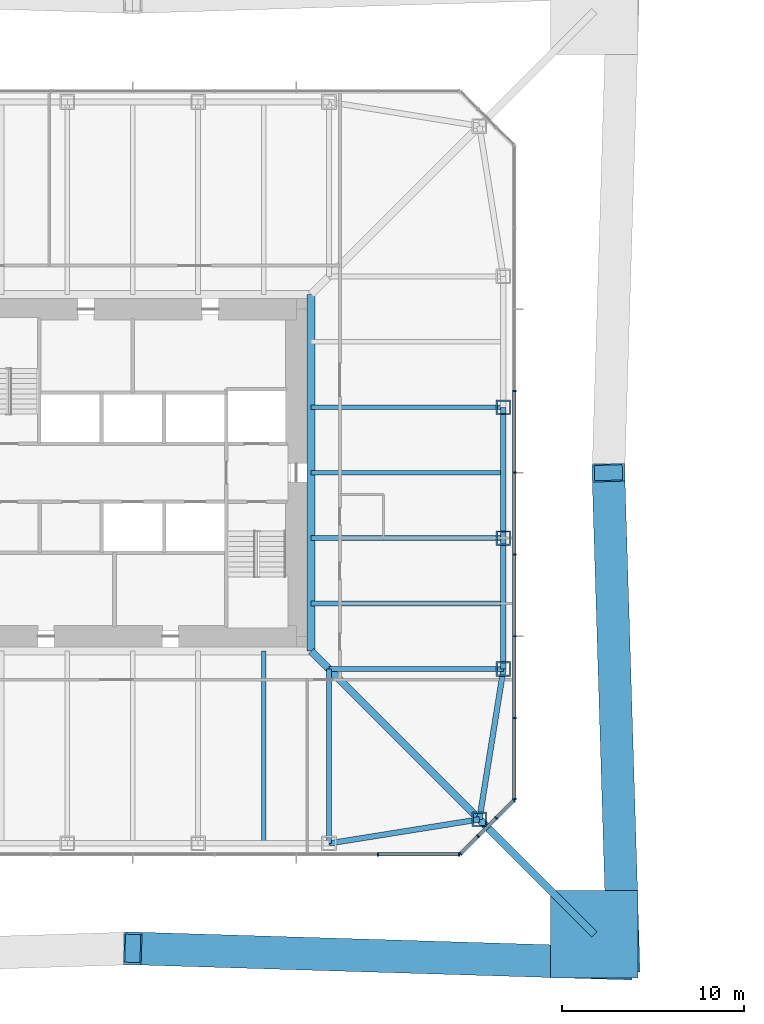
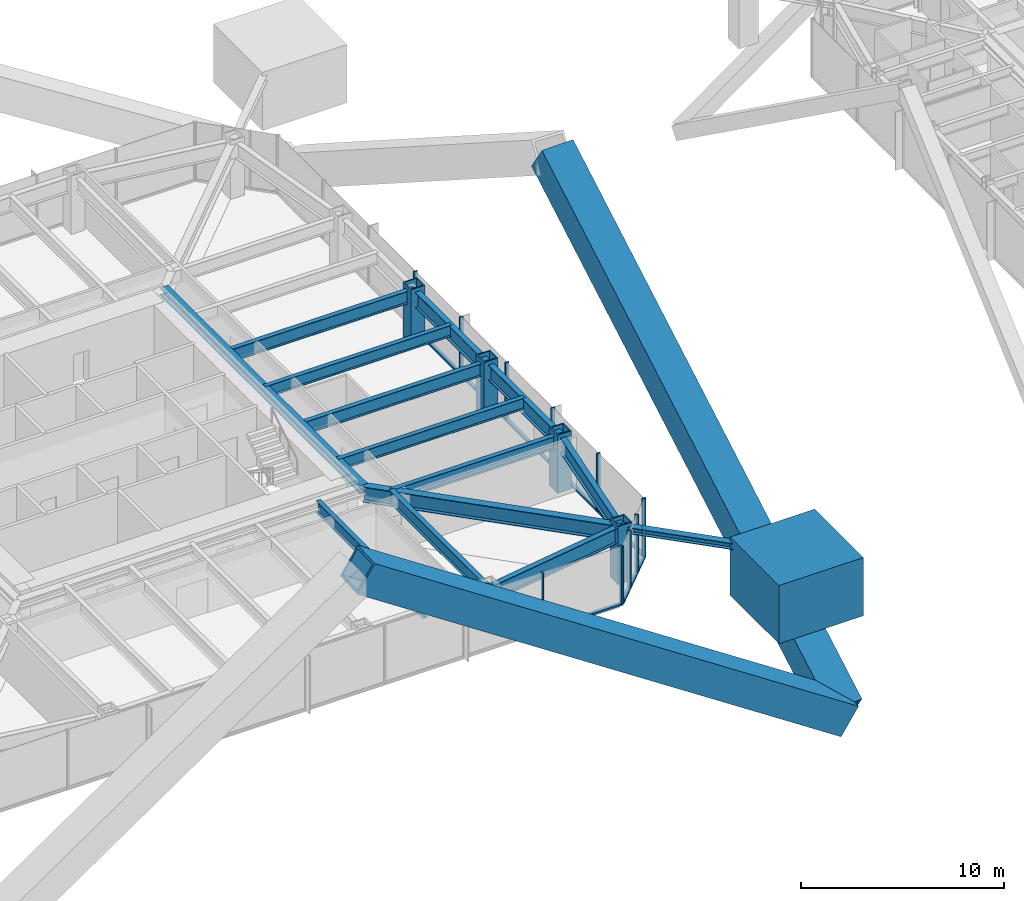
# One storey, part 3 of 21: 29 members, 13 beams, 3 elements without a shape of their own.
"""IFC4 building model written with IfcOpenShell, lengths in metres."""

from ifc_helpers import new_model, si_unit, direction, frame, origin, origin_2d, place, context, subcontext, project, spatial, rectangle, hollow_rectangle, i_section, extrude, material, material_profile, profile_set, type_object, element, aggregate, save


model = new_model("IFC4")

# Units and contexts
model_context = context("Model", 3, precision=1e-05, world=origin(), true_north=direction((0.0, 1.0)))
body_context = subcontext(model_context, "Body", "Model", "MODEL_VIEW")
ifc_project = project(units=[si_unit("LENGTHUNIT", "METRE"), si_unit("AREAUNIT", "SQUARE_METRE"), si_unit("VOLUMEUNIT", "CUBIC_METRE"), si_unit("PLANEANGLEUNIT", "RADIAN"), si_unit("MASSUNIT", "GRAM", prefix="KILO")], contexts=[model_context])

# Site, building, storey
site_placement = place(None, origin())
site = spatial("IfcSite", under=ifc_project, at=site_placement, CompositionType="ELEMENT")
building_placement = place(site_placement, origin())
building = spatial("IfcBuilding", under=site, at=building_placement, Name="Iwan Alto Co-Living Towers", CompositionType="ELEMENT")
storey_placement = place(building_placement, frame((0.0, 0.0, 80.5)))
storey = spatial("IfcBuildingStorey", under=building, at=storey_placement, Name="L21", CompositionType="ELEMENT", Elevation=80.5)

# Curtain wall, members
ifc_material_1 = material(Name="Bronze aluminium unitised frame", Category="aluminium")
curtain_wall_type_1 = type_object("IfcCurtainWallType", Name="CURTAIN WALL CW-A", PredefinedType="NOTDEFINED", material=ifc_material_1)
curtain_wall_1_placement = place(storey_placement, origin())
curtain_wall_1 = element("IfcCurtainWall", 1, at=curtain_wall_1_placement, inside=storey, type_object=curtain_wall_type_1, Name="T1 curtain wall S L21", PredefinedType="NOTDEFINED")
ifc_material_2 = material(Name="Aluminium 6063-T6 bronze anodised", Category="aluminium")
ifc_material_profile_1 = material_profile(ifc_material_2, rectangle(XDim=0.199951171875, YDim=0.080078125, at=origin_2d()), Name="AL 80X200")
ifc_profile_set_1 = profile_set([ifc_material_profile_1], Name="Aluminium 6063-T6 bronze anodised")
member_type_1 = type_object("IfcMemberType", Name="CW-A MULLION 80X200", PredefinedType="MULLION", material=ifc_profile_set_1)
member_1_placement = place(storey_placement, frame((13.5, -21.0, 0.0), z_axis=(0.0, 0.0, 1.0), x_axis=(0.0, 1.0, 0.0)))
member_1 = element("IfcMember", 2, at=member_1_placement, type_object=member_type_1, Name="CW-A mullion 8", PredefinedType="MULLION", context=body_context, shape_type="SweptSolid", body=[
    extrude(rectangle(XDim=0.199951171875, YDim=0.080078125, at=origin_2d()), origin(), (0.0, 0.0, 1.0), 3.5),
])
member_2_placement = place(storey_placement, frame((17.9599609375, -21.0, 0.0), z_axis=(0.0, 0.0, 1.0), x_axis=(0.0, 1.0, 0.0)))
member_2 = element("IfcMember", 3, at=member_2_placement, type_object=member_type_1, Name="CW-A mullion 9", PredefinedType="MULLION", context=body_context, shape_type="SweptSolid", body=[
    extrude(rectangle(XDim=0.199951171875, YDim=0.080078125, at=origin_2d()), origin(), (0.0, 0.0, 1.0), 3.5),
])

curtain_wall_2_placement = place(storey_placement, origin())
curtain_wall_2 = element("IfcCurtainWall", 4, at=curtain_wall_2_placement, inside=storey, type_object=curtain_wall_type_1, Name="T1 curtain wall E L21", PredefinedType="NOTDEFINED")
member_3_placement = place(storey_placement, frame((21.0, -17.9599609375, 0.0), z_axis=(0.0, 0.0, 1.0), x_axis=(-1.0, 0.0, 0.0)))
member_3 = element("IfcMember", 5, at=member_3_placement, type_object=member_type_1, Name="CW-A mullion 1", PredefinedType="MULLION", context=body_context, shape_type="SweptSolid", body=[
    extrude(rectangle(XDim=0.199951171875, YDim=0.080078125, at=origin_2d()), origin(), (0.0, 0.0, 1.0), 3.5),
])
member_4_placement = place(storey_placement, frame((21.0, -13.5, 0.0), z_axis=(0.0, 0.0, 1.0), x_axis=(-1.0, 0.0, 0.0)))
member_4 = element("IfcMember", 6, at=member_4_placement, type_object=member_type_1, Name="CW-A mullion 2", PredefinedType="MULLION", context=body_context, shape_type="SweptSolid", body=[
    extrude(rectangle(XDim=0.199951171875, YDim=0.080078125, at=origin_2d()), origin(), (0.0, 0.0, 1.0), 3.5),
])
member_5_placement = place(storey_placement, frame((21.0, -9.0, 0.0), z_axis=(0.0, 0.0, 1.0), x_axis=(-1.0, 0.0, 0.0)))
member_5 = element("IfcMember", 7, at=member_5_placement, type_object=member_type_1, Name="CW-A mullion 3", PredefinedType="MULLION", context=body_context, shape_type="SweptSolid", body=[
    extrude(rectangle(XDim=0.199951171875, YDim=0.080078125, at=origin_2d()), origin(), (0.0, 0.0, 1.0), 3.5),
])
member_6_placement = place(storey_placement, frame((21.0, -4.5, 0.0), z_axis=(0.0, 0.0, 1.0), x_axis=(-1.0, 0.0, 0.0)))
member_6 = element("IfcMember", 8, at=member_6_placement, type_object=member_type_1, Name="CW-A mullion 4", PredefinedType="MULLION", context=body_context, shape_type="SweptSolid", body=[
    extrude(rectangle(XDim=0.199951171875, YDim=0.080078125, at=origin_2d()), origin(), (0.0, 0.0, 1.0), 3.5),
])
member_7_placement = place(storey_placement, frame((21.0, 0.0, 0.0), z_axis=(0.0, 0.0, 1.0), x_axis=(-1.0, 0.0, 0.0)))
member_7 = element("IfcMember", 9, at=member_7_placement, type_object=member_type_1, Name="CW-A mullion 5", PredefinedType="MULLION", context=body_context, shape_type="SweptSolid", body=[
    extrude(rectangle(XDim=0.199951171875, YDim=0.080078125, at=origin_2d()), origin(), (0.0, 0.0, 1.0), 3.5),
])
member_8_placement = place(storey_placement, frame((21.0, 4.5, 0.0), z_axis=(0.0, 0.0, 1.0), x_axis=(-1.0, 0.0, 0.0)))
member_8 = element("IfcMember", 10, at=member_8_placement, type_object=member_type_1, Name="CW-A mullion 6", PredefinedType="MULLION", context=body_context, shape_type="SweptSolid", body=[
    extrude(rectangle(XDim=0.199951171875, YDim=0.080078125, at=origin_2d()), origin(), (0.0, 0.0, 1.0), 3.5),
])

# Member
ifc_material_3 = material(Name="Aluminium 6063-T6 bronze anodised", Category="aluminium")
ifc_material_profile_2 = material_profile(ifc_material_3, rectangle(XDim=0.199951171875, YDim=0.10009765625, at=origin_2d()), Name="AL 200X100")
ifc_profile_set_2 = profile_set([ifc_material_profile_2], Name="Aluminium 6063-T6 bronze anodised")
member_type_2 = type_object("IfcMemberType", Name="CW-A TRANSOM 200X100", PredefinedType="USERDEFINED", material=ifc_profile_set_2)
member_9_placement = place(storey_placement, frame((13.5400390625, -21.0, 0.050048828125), z_axis=(1.0, 0.0, 0.0), x_axis=(0.0, 1.0, 0.0)))
member_9 = element("IfcMember", 11, at=member_9_placement, type_object=member_type_2, Name="CW-A transom 8.1", ObjectType="TRANSOM", PredefinedType="USERDEFINED", context=body_context, shape_type="SweptSolid", body=[
    extrude(rectangle(XDim=0.199951171875, YDim=0.10009765625, at=origin_2d()), origin(), (0.0, 0.0, 1.0), 4.3798828125),
])

aggregate(curtain_wall_1, [member_1, member_2, member_9])

member_10_placement = place(storey_placement, frame((21.0, -17.919921875, 0.050048828125), z_axis=(0.0, 1.0, 0.0), x_axis=(-1.0, 0.0, 0.0)))
member_10 = element("IfcMember", 12, at=member_10_placement, type_object=member_type_2, Name="CW-A transom 1.1", ObjectType="TRANSOM", PredefinedType="USERDEFINED", context=body_context, shape_type="SweptSolid", body=[
    extrude(rectangle(XDim=0.199951171875, YDim=0.10009765625, at=origin_2d()), origin(), (0.0, 0.0, 1.0), 4.3798828125),
])

member_11_placement = place(storey_placement, frame((21.0, -13.4599609375, 0.050048828125), z_axis=(0.0, 1.0, 0.0), x_axis=(-1.0, 0.0, 0.0)))
member_11 = element("IfcMember", 13, at=member_11_placement, type_object=member_type_2, Name="CW-A transom 2.1", ObjectType="TRANSOM", PredefinedType="USERDEFINED", context=body_context, shape_type="SweptSolid", body=[
    extrude(rectangle(XDim=0.199951171875, YDim=0.10009765625, at=origin_2d()), origin(), (0.0, 0.0, 1.0), 4.419921875),
])

member_12_placement = place(storey_placement, frame((21.0, -8.9599609375, 0.050048828125), z_axis=(0.0, 1.0, 0.0), x_axis=(-1.0, 0.0, 0.0)))
member_12 = element("IfcMember", 14, at=member_12_placement, type_object=member_type_2, Name="CW-A transom 3.1", ObjectType="TRANSOM", PredefinedType="USERDEFINED", context=body_context, shape_type="SweptSolid", body=[
    extrude(rectangle(XDim=0.199951171875, YDim=0.10009765625, at=origin_2d()), origin(), (0.0, 0.0, 1.0), 4.419921875),
])

member_13_placement = place(storey_placement, frame((21.0, -4.4599609375, 0.050048828125), z_axis=(0.0, 1.0, 0.0), x_axis=(-1.0, 0.0, 0.0)))
member_13 = element("IfcMember", 15, at=member_13_placement, type_object=member_type_2, Name="CW-A transom 4.1", ObjectType="TRANSOM", PredefinedType="USERDEFINED", context=body_context, shape_type="SweptSolid", body=[
    extrude(rectangle(XDim=0.199951171875, YDim=0.10009765625, at=origin_2d()), origin(), (0.0, 0.0, 1.0), 4.419921875),
])

member_14_placement = place(storey_placement, frame((21.0, 0.0400390625, 0.050048828125), z_axis=(0.0, 1.0, 0.0), x_axis=(-1.0, 0.0, 0.0)))
member_14 = element("IfcMember", 16, at=member_14_placement, type_object=member_type_2, Name="CW-A transom 5.1", ObjectType="TRANSOM", PredefinedType="USERDEFINED", context=body_context, shape_type="SweptSolid", body=[
    extrude(rectangle(XDim=0.199951171875, YDim=0.10009765625, at=origin_2d()), origin(), (0.0, 0.0, 1.0), 4.419921875),
])

aggregate(curtain_wall_2, [member_3, member_4, member_5, member_6, member_7, member_8, member_10, member_11, member_12, member_13, member_14])

# Curtain wall, members
ifc_material_4 = material(Name="Bronze aluminium unitised frame", Category="aluminium")
curtain_wall_type_2 = type_object("IfcCurtainWallType", Name="CURTAIN WALL CW-B", PredefinedType="NOTDEFINED", material=ifc_material_4)
curtain_wall_3_placement = place(storey_placement, origin())
curtain_wall_3 = element("IfcCurtainWall", 17, at=curtain_wall_3_placement, inside=storey, type_object=curtain_wall_type_2, Name="T1 chamfer curtain wall SE L21", PredefinedType="NOTDEFINED")
ifc_material_5 = material(Name="Aluminium 6063-T6 bronze anodised", Category="aluminium")
ifc_material_profile_3 = material_profile(ifc_material_5, rectangle(XDim=0.199951171875, YDim=0.080078125, at=origin_2d()), Name="AL 80X200")
ifc_profile_set_3 = profile_set([ifc_material_profile_3], Name="Aluminium 6063-T6 bronze anodised")
member_type_3 = type_object("IfcMemberType", Name="CW-B MULLION 80X200", PredefinedType="MULLION", material=ifc_profile_set_3)
member_15_placement = place(storey_placement, frame((18.0283203125, -20.9716796875, 0.0), z_axis=(0.0, 0.0, 1.0), x_axis=(-0.707106781187, 0.707106781187, 0.0)))
member_15 = element("IfcMember", 18, at=member_15_placement, type_object=member_type_3, Name="CW-B mullion 1", PredefinedType="MULLION", context=body_context, shape_type="SweptSolid", body=[
    extrude(rectangle(XDim=0.199951171875, YDim=0.080078125, at=origin_2d()), origin(), (0.0, 0.0, 1.0), 3.5),
])
member_16_placement = place(storey_placement, frame((19.0, -20.0, 0.0), z_axis=(0.0, 0.0, 1.0), x_axis=(-0.707106781187, 0.707106781187, 0.0)))
member_16 = element("IfcMember", 19, at=member_16_placement, type_object=member_type_3, Name="CW-B mullion 2", PredefinedType="MULLION", context=body_context, shape_type="SweptSolid", body=[
    extrude(rectangle(XDim=0.199951171875, YDim=0.080078125, at=origin_2d()), origin(), (0.0, 0.0, 1.0), 3.5),
])
member_17_placement = place(storey_placement, frame((20.0, -19.0, 0.0), z_axis=(0.0, 0.0, 1.0), x_axis=(-0.707106781187, 0.707106781187, 0.0)))
member_17 = element("IfcMember", 20, at=member_17_placement, type_object=member_type_3, Name="CW-B mullion 3", PredefinedType="MULLION", context=body_context, shape_type="SweptSolid", body=[
    extrude(rectangle(XDim=0.199951171875, YDim=0.080078125, at=origin_2d()), origin(), (0.0, 0.0, 1.0), 3.5),
])
member_18_placement = place(storey_placement, frame((20.9716796875, -18.0283203125, 0.0), z_axis=(0.0, 0.0, 1.0), x_axis=(-0.707106781187, 0.707106781187, 0.0)))
member_18 = element("IfcMember", 21, at=member_18_placement, type_object=member_type_3, Name="CW-B mullion 4", PredefinedType="MULLION", context=body_context, shape_type="SweptSolid", body=[
    extrude(rectangle(XDim=0.199951171875, YDim=0.080078125, at=origin_2d()), origin(), (0.0, 0.0, 1.0), 3.5),
])
ifc_material_6 = material(Name="Aluminium 6063-T6 bronze anodised", Category="aluminium")
ifc_material_profile_4 = material_profile(ifc_material_6, rectangle(XDim=0.199951171875, YDim=0.10009765625, at=origin_2d()), Name="AL 200X100")
ifc_profile_set_4 = profile_set([ifc_material_profile_4], Name="Aluminium 6063-T6 bronze anodised")
member_type_4 = type_object("IfcMemberType", Name="CW-B TRANSOM 200X100", PredefinedType="USERDEFINED", material=ifc_profile_set_4)
member_19_placement = place(storey_placement, frame((18.056640625, -20.943359375, 0.050048828125), z_axis=(0.707106781187, 0.707106781187, 0.0), x_axis=(-0.707106781187, 0.707106781187, 0.0)))
member_19 = element("IfcMember", 22, at=member_19_placement, type_object=member_type_4, Name="CW-B transom 1.1", ObjectType="TRANSOM", PredefinedType="USERDEFINED", context=body_context, shape_type="SweptSolid", body=[
    extrude(rectangle(XDim=0.199951171875, YDim=0.10009765625, at=origin_2d()), origin(), (0.0, 0.0, 1.0), 1.2939453125),
])
member_20_placement = place(storey_placement, frame((19.0283203125, -19.9716796875, 0.050048828125), z_axis=(0.707106781187, 0.707106781187, 0.0), x_axis=(-0.707106781187, 0.707106781187, 0.0)))
member_20 = element("IfcMember", 23, at=member_20_placement, type_object=member_type_4, Name="CW-B transom 2.1", ObjectType="TRANSOM", PredefinedType="USERDEFINED", context=body_context, shape_type="SweptSolid", body=[
    extrude(rectangle(XDim=0.199951171875, YDim=0.10009765625, at=origin_2d()), origin(), (0.0, 0.0, 1.0), 1.334228515625),
])
member_21_placement = place(storey_placement, frame((20.0283203125, -18.9716796875, 0.050048828125), z_axis=(0.707106781187, 0.707106781187, 0.0), x_axis=(-0.707106781187, 0.707106781187, 0.0)))
member_21 = element("IfcMember", 24, at=member_21_placement, type_object=member_type_4, Name="CW-B transom 3.1", ObjectType="TRANSOM", PredefinedType="USERDEFINED", context=body_context, shape_type="SweptSolid", body=[
    extrude(rectangle(XDim=0.199951171875, YDim=0.10009765625, at=origin_2d()), origin(), (0.0, 0.0, 1.0), 1.2939453125),
])
aggregate(curtain_wall_3, [member_15, member_16, member_17, member_18, member_19, member_20, member_21])

# Beams
ifc_material_7 = material(Name="Steel ASTM A992 Gr 50", Category="steel")
ifc_material_profile_5 = material_profile(ifc_material_7, i_section(OverallWidth=0.436767578125, OverallDepth=0.51318359375, WebThickness=0.060546875, FlangeThickness=0.096923828125, at=origin_2d()), Name="W14X550")
ifc_profile_set_5 = profile_set([ifc_material_profile_5], Name="Steel ASTM A992 Gr 50")
beam_type_1 = type_object("IfcBeamType", Name="T1 CORE LEDGER BEAM W14X550", PredefinedType="BEAM", material=ifc_profile_set_5)
beam_1_placement = place(storey_placement, frame((9.818359375, -9.818359375, 3.013427734375), z_axis=(0.0, 1.0, 0.0), x_axis=(-1.0, 0.0, 0.0)))
element("IfcBeam", 25, at=beam_1_placement, inside=storey, type_object=beam_type_1, Name="T1 core ledger beam E L22", PredefinedType="BEAM", context=body_context, shape_type="SweptSolid", body=[
    extrude(i_section(OverallWidth=0.436767578125, OverallDepth=0.51318359375, WebThickness=0.060546875, FlangeThickness=0.096923828125, at=origin_2d()), origin(), (0.0, 0.0, 1.0), 19.63671875),
])
ifc_material_8 = material(Name="Steel ASTM A992 Gr 50", Category="steel")
ifc_material_profile_6 = material_profile(ifc_material_8, i_section(OverallWidth=0.419189453125, OverallDepth=0.927001953125, WebThickness=0.019287109375, FlangeThickness=0.031982421875, at=origin_2d()), Name="W36X231")
ifc_profile_set_6 = profile_set([ifc_material_profile_6], Name="Steel ASTM A992 Gr 50")
beam_type_2 = type_object("IfcBeamType", Name="T1 CORNER GIRDER W36X231", PredefinedType="BEAM", material=ifc_profile_set_6)
beam_2_placement = place(storey_placement, frame((19.07568359375, -19.07568359375, 2.806396484375), z_axis=(-0.707106781187, 0.707106781187, 0.0), x_axis=(-0.707106781187, -0.707106781187, 0.0)))
element("IfcBeam", 26, at=beam_2_placement, inside=storey, type_object=beam_type_2, Name="T1 corner girder CSE L22", PredefinedType="BEAM", context=body_context, shape_type="SweptSolid", body=[
    extrude(i_section(OverallWidth=0.419189453125, OverallDepth=0.927001953125, WebThickness=0.019287109375, FlangeThickness=0.031982421875, at=origin_2d()), origin(), (0.0, 0.0, 1.0), 13.091796875),
])
ifc_material_9 = material(Name="Steel ASTM A992 Gr 50", Category="steel")
ifc_material_profile_7 = material_profile(ifc_material_9, i_section(OverallWidth=0.307373046875, OverallDepth=0.927001953125, WebThickness=0.01953125, FlangeThickness=0.031982421875, at=origin_2d()), Name="W36X194")
ifc_profile_set_7 = profile_set([ifc_material_profile_7], Name="Steel ASTM A992 Gr 50")
beam_type_3 = type_object("IfcBeamType", Name="T1 EDGE BEAM W36X194", PredefinedType="BEAM", material=ifc_profile_set_7)
for number, where, z_axis, x_axis, name in (
    (27, (10.800048828125, -20.39990234375, 2.806396484375), (0.987438450439, 0.158004134737, 0.0), (-0.158004134737, 0.987438450439, 0.0), "T1 edge beam S4 L22"),
    (28, (19.07568359375, -19.07568359375, 2.806396484375), (0.158004134737, 0.987438450439, 0.0), (-0.987438450439, 0.158004134737, 0.0), "T1 edge beam CSE L22"),
):
    element("IfcBeam", number, at=place(storey_placement, frame(where, z_axis=z_axis, x_axis=x_axis)), inside=storey, type_object=beam_type_3, Name=name, PredefinedType="BEAM", context=body_context, shape_type="SweptSolid", body=[
        extrude(i_section(OverallWidth=0.307373046875, OverallDepth=0.927001953125, WebThickness=0.01953125, FlangeThickness=0.031982421875, at=origin_2d()), origin(), (0.0, 0.0, 1.0), 8.380859375),
    ])
beam_3_placement = place(storey_placement, frame((20.39990234375, -10.800048828125, 2.806396484375), z_axis=(0.0, 1.0, 0.0), x_axis=(-1.0, 0.0, 0.0)))
element("IfcBeam", 29, at=beam_3_placement, inside=storey, type_object=beam_type_3, Name="T1 edge beam E1 L22", PredefinedType="BEAM", context=body_context, shape_type="SweptSolid", body=[
    extrude(i_section(OverallWidth=0.307373046875, OverallDepth=0.927001953125, WebThickness=0.01953125, FlangeThickness=0.031982421875, at=origin_2d()), origin(), (0.0, 0.0, 1.0), 7.199951171875),
])
beam_4_placement = place(storey_placement, frame((20.39990234375, -3.60009765625, 2.806396484375), z_axis=(0.0, 1.0, 0.0), x_axis=(-1.0, 0.0, 0.0)))
element("IfcBeam", 30, at=beam_4_placement, inside=storey, type_object=beam_type_3, Name="T1 edge beam E2 L22", PredefinedType="BEAM", context=body_context, shape_type="SweptSolid", body=[
    extrude(i_section(OverallWidth=0.307373046875, OverallDepth=0.927001953125, WebThickness=0.01953125, FlangeThickness=0.031982421875, at=origin_2d()), origin(), (0.0, 0.0, 1.0), 7.2001953125),
])

# Members
ifc_material_10 = material(Name="Steel ASTM A572 Gr 42", Category="steel")
ifc_material_profile_8 = material_profile(ifc_material_10, hollow_rectangle(XDim=1.800048828125, YDim=1.800048828125, WallThickness=0.1298828125, at=origin_2d()), Name="BOX 1800X1800X130")
ifc_profile_set_8 = profile_set([ifc_material_profile_8], Name="Steel ASTM A572 Gr 42")
member_type_5 = type_object("IfcMemberType", Name="T1 MEGA BRACE BOX 1800X1800X130", PredefinedType="BRACE", material=ifc_profile_set_8)
for number, where, z_axis, x_axis, name in (
    (31, (27.0, -27.0, -6.0), (-0.8386077526, 0.0256074434, 0.544133527842), (-0.03052143643, -0.999534112434, 0.0), "T1 mega brace Z2A S 2 lower"),
    (32, (27.0, -27.0, -6.0), (-0.0256074434, 0.8386077526, 0.544133527842), (-0.999534112434, -0.03052143643, 0.0), "T1 mega brace Z2A E 1 lower"),
):
    element("IfcMember", number, at=place(storey_placement, frame(where, z_axis=z_axis, x_axis=x_axis)), inside=storey, type_object=member_type_5, Name=name, PredefinedType="BRACE", context=body_context, shape_type="SweptSolid", body=[
        extrude(hollow_rectangle(XDim=1.800048828125, YDim=1.800048828125, WallThickness=0.1298828125, at=origin_2d()), origin(), (0.0, 0.0, 1.0), 32.1962890625),
    ])
ifc_material_11 = material(Name="Steel ASTM A992 Gr 50", Category="steel")
ifc_material_profile_9 = material_profile(ifc_material_11, i_section(OverallWidth=0.393798828125, OverallDepth=0.3759765625, WebThickness=0.017333984375, FlangeThickness=0.027587890625, at=origin_2d()), Name="W14X145")
ifc_profile_set_9 = profile_set([ifc_material_profile_9], Name="Steel ASTM A992 Gr 50")
member_type_6 = type_object("IfcMemberType", Name="T1 MEGA COLUMN FLOOR TIE W14X145", PredefinedType="STRUT", material=ifc_profile_set_9)
member_22_placement = place(storey_placement, frame((25.39990234375, -25.39990234375, 3.08203125), z_axis=(-0.707106781187, 0.707106781187, 0.0), x_axis=(-0.707106781187, -0.707106781187, 0.0)))
element("IfcMember", 33, at=member_22_placement, inside=storey, type_object=member_type_6, Name="T1 mega column floor tie SE L22", PredefinedType="STRUT", context=body_context, shape_type="SweptSolid", body=[
    extrude(i_section(OverallWidth=0.393798828125, OverallDepth=0.3759765625, WebThickness=0.017333984375, FlangeThickness=0.027587890625, at=origin_2d()), origin(), (0.0, 0.0, 1.0), 8.94384765625),
])
ifc_material_12 = material(Name="Concrete f'c 70 MPa", Category="concrete")
ifc_material_profile_10 = material_profile(ifc_material_12, rectangle(XDim=4.800048828125, YDim=4.800048828125, at=origin_2d()), Name="RC 4800X4800")
ifc_profile_set_10 = profile_set([ifc_material_profile_10], Name="Concrete f'c 70 MPa")
member_type_7 = type_object("IfcMemberType", Name="T1 MEGA POST AT STEP RC 4800X4800", PredefinedType="MEMBER", material=ifc_profile_set_10)
member_23_placement = place(storey_placement, frame((25.39990234375, -25.39990234375, 0.0), z_axis=(0.0, 0.0, 1.0), x_axis=(1.0, 0.0, 0.0)))
element("IfcMember", 34, at=member_23_placement, inside=storey, type_object=member_type_7, Name="T1 mega post at step SE L21", PredefinedType="MEMBER", context=body_context, shape_type="SweptSolid", body=[
    extrude(rectangle(XDim=4.800048828125, YDim=4.800048828125, at=origin_2d()), origin(), (0.0, 0.0, 1.0), 3.5),
    extrude(i_section(OverallWidth=0.4775390625, OverallDepth=0.599365234375, WebThickness=0.10009765625, FlangeThickness=0.139892578125, at=origin_2d()), origin(), (0.0, 0.0, 1.0), 3.5),
])

# Beams
ifc_material_13 = material(Name="Steel ASTM A992 Gr 50", Category="steel")
ifc_material_profile_11 = material_profile(ifc_material_13, i_section(OverallWidth=0.2666015625, OverallDepth=0.761962890625, WebThickness=0.014404296875, FlangeThickness=0.021484375, at=origin_2d()), Name="W30X116")
ifc_profile_set_11 = profile_set([ifc_material_profile_11], Name="Steel ASTM A992 Gr 50")
beam_type_4 = type_object("IfcBeamType", Name="T1 RADIAL BEAM W30X116", PredefinedType="BEAM", material=ifc_profile_set_11)
for number, where, z_axis, x_axis, name in (
    (35, (10.800048828125, -20.39990234375, 2.888916015625), (0.0, 1.0, 0.0), (-1.0, 0.0, 0.0), "T1 radial beam S4 L22"),
    (36, (20.39990234375, -10.800048828125, 2.888916015625), (-1.0, 0.0, 0.0), (0.0, -1.0, 0.0), "T1 radial beam E1 L22"),
):
    element("IfcBeam", number, at=place(storey_placement, frame(where, z_axis=z_axis, x_axis=x_axis)), inside=storey, type_object=beam_type_4, Name=name, PredefinedType="BEAM", context=body_context, shape_type="SweptSolid", body=[
        extrude(i_section(OverallWidth=0.2666015625, OverallDepth=0.761962890625, WebThickness=0.014404296875, FlangeThickness=0.021484375, at=origin_2d()), origin(), (0.0, 0.0, 1.0), 9.599853515625),
    ])
for number, where, z_axis, x_axis, name in (
    (37, (20.39990234375, -3.60009765625, 2.888916015625), (-1.0, 0.0, 0.0), (0.0, -1.0, 0.0), "T1 radial beam E2 L22"),
    (38, (20.39990234375, 3.60009765625, 2.888916015625), (-1.0, 0.0, 0.0), (0.0, -1.0, 0.0), "T1 radial beam E3 L22"),
):
    element("IfcBeam", number, at=place(storey_placement, frame(where, z_axis=z_axis, x_axis=x_axis)), inside=storey, type_object=beam_type_4, Name=name, PredefinedType="BEAM", context=body_context, shape_type="SweptSolid", body=[
        extrude(i_section(OverallWidth=0.2666015625, OverallDepth=0.761962890625, WebThickness=0.014404296875, FlangeThickness=0.021484375, at=origin_2d()), origin(), (0.0, 0.0, 1.0), 10.58154296875),
    ])

# Members
ifc_material_14 = material(Name="Steel ASTM A572 Gr 50", Category="steel")
ifc_material_profile_12 = material_profile(ifc_material_14, hollow_rectangle(XDim=0.800048828125, YDim=0.800048828125, WallThickness=0.070068359375, at=origin_2d()), Name="BOX 800X800X70")
ifc_profile_set_12 = profile_set([ifc_material_profile_12], Name="Steel ASTM A572 Gr 50")
member_type_8 = type_object("IfcMemberType", Name="T1 RING POST AT STEP BOX 800X800X70", PredefinedType="MEMBER", material=ifc_profile_set_12)
for number, where, z_axis, x_axis, name in (
    (39, (19.07568359375, -19.07568359375, 0.0), (0.0, 0.0, 1.0), (1.0, 0.0, 0.0), "T1 ring post at step CSE L21"),
    (40, (20.39990234375, -10.800048828125, 0.0), (0.0, 0.0, 1.0), (1.0, 0.0, 0.0), "T1 ring post at step E1 L21"),
    (41, (20.39990234375, -3.60009765625, 0.0), (0.0, 0.0, 1.0), (1.0, 0.0, 0.0), "T1 ring post at step E2 L21"),
    (42, (20.39990234375, 3.60009765625, 0.0), (0.0, 0.0, 1.0), (1.0, 0.0, 0.0), "T1 ring post at step E3 L21"),
):
    element("IfcMember", number, at=place(storey_placement, frame(where, z_axis=z_axis, x_axis=x_axis)), inside=storey, type_object=member_type_8, Name=name, PredefinedType="MEMBER", context=body_context, shape_type="SweptSolid", body=[
        extrude(hollow_rectangle(XDim=0.800048828125, YDim=0.800048828125, WallThickness=0.070068359375, at=origin_2d()), origin(), (0.0, 0.0, 1.0), 3.5),
    ])

# Beams
ifc_material_15 = material(Name="Steel ASTM A992 Gr 50", Category="steel")
ifc_material_profile_13 = material_profile(ifc_material_15, i_section(OverallWidth=0.25390625, OverallDepth=0.683349609375, WebThickness=0.012451171875, FlangeThickness=0.018798828125, at=origin_2d()), Name="W27X94")
ifc_profile_set_13 = profile_set([ifc_material_profile_13], Name="Steel ASTM A992 Gr 50")
beam_type_5 = type_object("IfcBeamType", Name="T1 SECONDARY BEAM W27X94", PredefinedType="JOIST", material=ifc_profile_set_13)
for number, where, z_axis, x_axis, name in (
    (43, (7.199951171875, -20.39990234375, 2.928466796875), (0.0, 1.0, 0.0), (-1.0, 0.0, 0.0), "T1 secondary beam S3 L22"),
    (44, (20.39990234375, -7.199951171875, 2.928466796875), (-1.0, 0.0, 0.0), (0.0, -1.0, 0.0), "T1 secondary beam E1 L22"),
    (45, (20.39990234375, 0.0, 2.928466796875), (-1.0, 0.0, 0.0), (0.0, -1.0, 0.0), "T1 secondary beam E2 L22"),
):
    element("IfcBeam", number, at=place(storey_placement, frame(where, z_axis=z_axis, x_axis=x_axis)), inside=storey, type_object=beam_type_5, Name=name, PredefinedType="JOIST", context=body_context, shape_type="SweptSolid", body=[
        extrude(i_section(OverallWidth=0.25390625, OverallDepth=0.683349609375, WebThickness=0.012451171875, FlangeThickness=0.018798828125, at=origin_2d()), origin(), (0.0, 0.0, 1.0), 10.58154296875),
    ])

save(model, "model.ifc")
